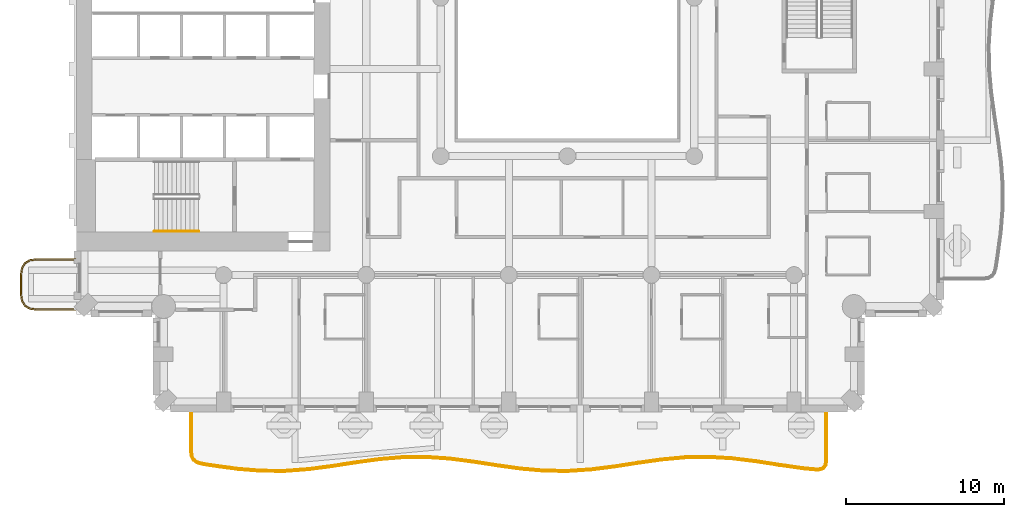
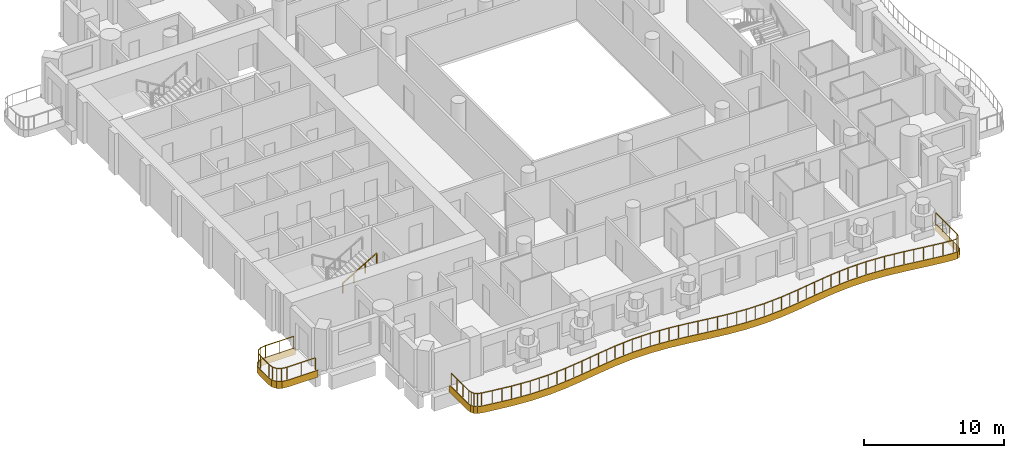
# One storey, part 13 of 20: 3 railings, 2 coverings.
"""IFC4 building model written with IfcOpenShell, lengths in metres."""

import ifcopenshell
import ifcopenshell.guid

model = None  # the IFC model being written
_history = None  # IfcOwnerHistory: only IFC2X3 demands one
_inside = {}  # id of a spatial element -> (the spatial element, [elements in it])
_under = {}  # id of a project, library or spatial element -> (it, [spatial elements below it])
_declared = {}  # id of a project -> (the project, [libraries it declares])
_typed = {}  # id of a type object -> (the type object, [elements of that type])
_made_of = {}  # id of a material, layer set ... -> (it, [elements and type objects made of it])


def new_model(schema):
    """Start an empty IFC model of exactly this schema.

    Asked for "IFC4X3", IfcOpenShell would pick the latest addendum, in which some entities
    have other attributes; the version numbers below select the first issue.
    IFC2X3 requires an IfcOwnerHistory on every rooted entity: one is made here for all.
    """
    global model, _history
    if schema == "IFC4X3":
        model = ifcopenshell.file(schema_version=(4, 3, 0, 0))
    else:
        model = ifcopenshell.file(schema=schema)
    _inside.clear()
    _under.clear()
    _declared.clear()
    _typed.clear()
    _made_of.clear()
    _history = None
    if model.schema == "IFC2X3":
        org = make("IfcOrganization", Name="unknown")
        user = make(
            "IfcPersonAndOrganization",
            ThePerson=make("IfcPerson", FamilyName="unknown"),
            TheOrganization=org,
        )
        app = make(
            "IfcApplication",
            ApplicationDeveloper=org,
            Version="unknown",
            ApplicationFullName="unknown",
            ApplicationIdentifier="unknown",
        )
        _history = make(
            "IfcOwnerHistory",
            OwningUser=user,
            OwningApplication=app,
            ChangeAction="ADDED",
            CreationDate=0,
        )
    return model


def make(cls, **values):
    """One entity of the class cls with the attributes given. An attribute that is None is left unset."""
    return model.create_entity(
        cls, **{name: value for name, value in values.items() if value is not None}
    )


def rooted(cls, **values):
    """An entity with a GlobalId (a new one), such as an element, a storey or a relation."""
    return make(cls, GlobalId=ifcopenshell.guid.new(), OwnerHistory=_history, **values)


def si_unit(unit_type, name, prefix=None):
    """IfcSIUnit, for example si_unit("LENGTHUNIT", "METRE", prefix="MILLI")."""
    return make("IfcSIUnit", UnitType=unit_type, Prefix=prefix, Name=name)


def assignment(units):
    """IfcUnitAssignment: the units of a project."""
    return None if units is None else make("IfcUnitAssignment", Units=units)


def point(xyz):
    """IfcCartesianPoint."""
    return None if xyz is None else make("IfcCartesianPoint", Coordinates=xyz)


def direction(xyz):
    """IfcDirection."""
    return None if xyz is None else make("IfcDirection", DirectionRatios=xyz)


def frame(location, z_axis=None, x_axis=None):
    """IfcAxis2Placement3D, a coordinate frame: its origin and axes. An axis left out is left unset."""
    return make(
        "IfcAxis2Placement3D",
        Location=point(location),
        Axis=direction(z_axis),
        RefDirection=direction(x_axis),
    )


def frame_2d(location, x_axis=None):
    """IfcAxis2Placement2D, a coordinate frame in the plane: its origin and x axis."""
    return make(
        "IfcAxis2Placement2D", Location=point(location), RefDirection=direction(x_axis)
    )


def origin():
    """The frame at (0, 0, 0) with its axes left unset."""
    return frame((0.0, 0.0, 0.0))


def origin_2d():
    """The frame at (0, 0) in the plane with its x axis left unset."""
    return frame_2d((0.0, 0.0))


def place(relative_to, where):
    """IfcLocalPlacement: puts the frame where relative to a parent placement (None: the world)."""
    return make(
        "IfcLocalPlacement", PlacementRelTo=relative_to, RelativePlacement=where
    )


def context(
    kind, dimensions, precision=None, world=None, true_north=None, identifier=None
):
    """IfcGeometricRepresentationContext, for example the 3D "Model" context."""
    return make(
        "IfcGeometricRepresentationContext",
        ContextIdentifier=identifier,
        ContextType=kind,
        CoordinateSpaceDimension=dimensions,
        Precision=precision,
        WorldCoordinateSystem=world,
        TrueNorth=true_north,
    )


def subcontext(parent, identifier, kind, view, scale=None):
    """IfcGeometricRepresentationSubContext, for example "Body" below "Model"."""
    return make(
        "IfcGeometricRepresentationSubContext",
        ContextIdentifier=identifier,
        ContextType=kind,
        ParentContext=parent,
        TargetScale=scale,
        TargetView=view,
    )


def project(units=None, contexts=None):
    """IfcProject with its units and contexts."""
    return rooted(
        "IfcProject",
        Name="project",
        RepresentationContexts=contexts,
        UnitsInContext=assignment(units),
    )


def spatial(cls, under=None, at=None, **own):
    """A site, building, storey or space (cls), placed at a placement, below another one or the project."""
    s = rooted(cls, ObjectPlacement=at, **own)
    if under is not None:
        _under.setdefault(under.id(), (under, []))[1].append(s)
    return s


def polyline(points):
    """IfcPolyline through the points."""
    return make("IfcPolyline", Points=[point(p) for p in points])


def profile(cls, at=None, kind="AREA", **sizes):
    """A parametric profile (cls). Its sizes go by their IFC names, for example OverallWidth=200.0."""
    return make(cls, ProfileType=kind, Position=at, **sizes)


def rectangle(**sizes):
    """IfcRectangleProfileDef."""
    return profile("IfcRectangleProfileDef", **sizes)


def outline(outer, holes=None, kind="AREA"):
    """IfcArbitraryClosedProfileDef: a profile drawn as a closed curve; with holes, ...WithVoids."""
    if holes is None:
        return make("IfcArbitraryClosedProfileDef", ProfileType=kind, OuterCurve=outer)
    return make(
        "IfcArbitraryProfileDefWithVoids",
        ProfileType=kind,
        OuterCurve=outer,
        InnerCurves=holes,
    )


def extrude(swept, where, along, depth):
    """IfcExtrudedAreaSolid: the profile swept, set in the frame where, extruded along a direction by depth."""
    return make(
        "IfcExtrudedAreaSolid",
        SweptArea=swept,
        Position=where,
        ExtrudedDirection=direction(along),
        Depth=depth,
    )


def shape(context_of_items, identifier, shape_type, items):
    """IfcShapeRepresentation: the items that make up one representation, for example the "Body"."""
    return make(
        "IfcShapeRepresentation",
        ContextOfItems=context_of_items,
        RepresentationIdentifier=identifier,
        RepresentationType=shape_type,
        Items=items,
    )


def material(Name=None, Category=None):
    """IfcMaterial."""
    return make("IfcMaterial", Name=Name, Category=Category)


def layer(
    of_material, thickness, ventilated=None, Name=None, Category=None, Priority=None
):
    """IfcMaterialLayer: one layer of a wall or slab, of a material (None: an air gap)."""
    return make(
        "IfcMaterialLayer",
        Material=of_material,
        LayerThickness=thickness,
        IsVentilated=ventilated,
        Name=Name,
        Category=Category,
        Priority=Priority,
    )


def layer_set(layers, Name=None):
    """IfcMaterialLayerSet."""
    return make("IfcMaterialLayerSet", MaterialLayers=layers, LayerSetName=Name)


def made_of(thing, what):
    """Note that an element or type object is made of a material, layer set ...; save() writes the relation."""
    if what is not None:
        _made_of.setdefault(what.id(), (what, []))[1].append(thing)
    return thing


def type_object(cls, material=None, **own):
    """A type object (cls), such as IfcWallType, which elements share."""
    return made_of(rooted(cls, **own), material)


def element(
    cls,
    number,
    at=None,
    inside=None,
    cuts=None,
    type_object=None,
    material=None,
    context=None,
    identifier="Body",
    shape_type=None,
    held_by="IfcProductDefinitionShape",
    body=None,
    shapes=None,
    **own,
):
    """One element of the class cls, such as IfcWall. Its Tag is "e" and its number.

    at: its placement. inside: the storey or other place that contains it. cuts: it is an
    opening in that element (IfcRelVoidsElement). A single representation is given by context,
    identifier, shape_type and body (its items); several are given by shapes. held_by: the class
    of the entity that holds the representations. save() writes the other relations.
    """
    e = rooted(cls, Tag="e%d" % number, ObjectPlacement=at, **own)
    if body is not None:
        shapes = [shape(context, identifier, shape_type, body)]
    if shapes is not None:
        e.Representation = make(held_by, Representations=shapes)
    if inside is not None:
        _inside.setdefault(inside.id(), (inside, []))[1].append(e)
    if cuts is not None:
        rooted(
            "IfcRelVoidsElement", RelatingBuildingElement=cuts, RelatedOpeningElement=e
        )
    if type_object is not None:
        _typed.setdefault(type_object.id(), (type_object, []))[1].append(e)
    return made_of(e, material)


def aggregate(whole, parts):
    """IfcRelAggregates: a whole, such as a stair, and the parts it consists of."""
    return rooted("IfcRelAggregates", RelatingObject=whole, RelatedObjects=parts)


def save(model, path):
    """Write the relations noted so far, then the file.

    IfcRelAggregates (storeys below a building ...), IfcRelContainedInSpatialStructure (elements
    in a storey), IfcRelDefinesByType, IfcRelAssociatesMaterial and IfcRelDeclares: one each for
    every whole, place, type object, material and project.
    """
    for whole, parts in _under.values():
        aggregate(whole, parts)
    for where, things in _inside.values():
        rooted(
            "IfcRelContainedInSpatialStructure",
            RelatedElements=things,
            RelatingStructure=where,
        )
    for kind, things in _typed.values():
        rooted("IfcRelDefinesByType", RelatedObjects=things, RelatingType=kind)
    for what, things in _made_of.values():
        rooted("IfcRelAssociatesMaterial", RelatedObjects=things, RelatingMaterial=what)
    for by, libraries in _declared.values():
        rooted("IfcRelDeclares", RelatingContext=by, RelatedDefinitions=libraries)
    model.write(path)


model = new_model("IFC4")

# Units and contexts
model_context = context("Model", 3, precision=1e-05, world=origin(), true_north=direction((0.0, 1.0)))
body_context = subcontext(model_context, "Body", "Model", "MODEL_VIEW")
ifc_project = project(units=[si_unit("LENGTHUNIT", "METRE"), si_unit("AREAUNIT", "SQUARE_METRE"), si_unit("VOLUMEUNIT", "CUBIC_METRE"), si_unit("PLANEANGLEUNIT", "RADIAN"), si_unit("MASSUNIT", "GRAM", prefix="KILO")], contexts=[model_context])

# Site, building, storey
site_placement = place(None, origin())
site = spatial("IfcSite", under=ifc_project, at=site_placement, CompositionType="ELEMENT")
building_placement = place(site_placement, origin())
building = spatial("IfcBuilding", under=site, at=building_placement, Name="Cypress Arch Tower", CompositionType="ELEMENT")
storey_placement = place(building_placement, frame((0.0, 0.0, 134.699951171875)))
storey = spatial("IfcBuildingStorey", under=building, at=storey_placement, Name="L29", CompositionType="ELEMENT", Elevation=134.699951171875)

# Coverings
ifc_material_1 = material(Name="White powder-coated aluminium fascia", Category="aluminium")
ifc_layer = layer(ifc_material_1, 0.050048828125)
ifc_layer_set = layer_set([ifc_layer], Name="Balcony fascia BF50")
covering_type = type_object("IfcCoveringType", Name="Balcony fascia BF50", PredefinedType="CLADDING", material=ifc_layer_set)
covering_1_placement = place(storey_placement, frame((0.0, 0.0, -0.599853515625)))
element("IfcCovering", 1, at=covering_1_placement, inside=storey, type_object=covering_type, Name="Balcony fascia L29-A00W1", PredefinedType="CLADDING", context=body_context, shape_type="SweptSolid", body=[
    extrude(outline(polyline([(-32.503662109375, -19.75), (-32.95458984375, -19.685546875), (-33.286376953125, -19.486328125), (-33.485595703125, -19.154541015625), (-33.550048828125, -18.70361328125), (-33.550048828125, -17.496337890625), (-33.485595703125, -17.04541015625), (-33.286376953125, -16.713623046875), (-32.95458984375, -16.514404296875), (-32.503662109375, -16.449951171875), (-30.0009765625, -16.449951171875), (-30.0009765625, -16.5), (-32.5, -16.5), (-32.9375, -16.5625), (-33.25, -16.75), (-33.4375, -17.0625), (-33.5, -17.5), (-33.5, -18.699951171875), (-33.4375, -19.137451171875), (-33.25, -19.449951171875), (-32.9375, -19.637451171875), (-32.5, -19.699951171875), (-30.0009765625, -19.699951171875), (-30.0009765625, -19.75), (-32.503662109375, -19.75)])), origin(), (0.0, 0.0, 1.0), 0.599853515625),
])
covering_2_placement = place(storey_placement, frame((0.0, 0.0, -0.599853515625)))
element("IfcCovering", 2, at=covering_2_placement, inside=storey, type_object=covering_type, Name="Balcony fascia L29-A03", PredefinedType="CLADDING", context=body_context, shape_type="SweptSolid", body=[
    extrude(outline(polyline([(17.39990234375, -29.196533203125), (17.356201171875, -29.500244140625), (17.2177734375, -29.71875), (16.987060546875, -29.8359375), (16.680419921875, -29.8505859375), (15.85888671875, -29.772216796875), (14.372314453125, -29.558837890625), (12.887451171875, -29.330078125), (11.404541015625, -29.14599609375), (9.9228515625, -29.054931640625), (8.441650390625, -29.08056640625), (6.95947265625, -29.216064453125), (5.475830078125, -29.42626953125), (3.990234375, -29.65576171875), (2.5029296875, -29.8447265625), (1.014404296875, -29.94287109375), (-0.474609375, -29.92431640625), (-1.963134765625, -29.7939453125), (-3.449951171875, -29.58642578125), (-4.934814453125, -29.356201171875), (-6.41796875, -29.1640625), (-7.899658203125, -29.059814453125), (-9.381103515625, -29.0712890625), (-10.863037109375, -29.195068359375), (-12.346435546875, -29.39892578125), (-13.831787109375, -29.62939453125), (-15.31884765625, -29.826171875), (-16.807373046875, -29.93701171875), (-18.29638671875, -29.932861328125), (-19.784912109375, -29.814697265625), (-21.27197265625, -29.61376953125), (-22.0927734375, -29.486328125), (-22.397216796875, -29.39501953125), (-22.621826171875, -29.2236328125), (-22.756591796875, -28.975341796875), (-22.800048828125, -28.66064453125), (-22.800048828125, -26.0009765625), (-22.75, -26.0009765625), (-22.75, -28.6572265625), (-22.708251953125, -28.95947265625), (-22.5830078125, -29.1904296875), (-22.3740234375, -29.349609375), (-22.081787109375, -29.437255859375), (-21.264892578125, -29.564208984375), (-19.779541015625, -29.764892578125), (-18.29443359375, -29.8828125), (-16.809326171875, -29.886962890625), (-15.323974609375, -29.7763671875), (-13.8388671875, -29.579833984375), (-12.353759765625, -29.349365234375), (-10.868408203125, -29.145263671875), (-9.38330078125, -29.021240234375), (-7.898193359375, -29.010009765625), (-6.412841796875, -29.1142578125), (-4.927734375, -29.306884765625), (-3.442626953125, -29.537109375), (-1.95751953125, -29.744384765625), (-0.47216796875, -29.874267578125), (1.012939453125, -29.892822265625), (2.498046875, -29.794921875), (3.9833984375, -29.6064453125), (5.468505859375, -29.376708984375), (6.95361328125, -29.166259765625), (8.43896484375, -29.030517578125), (9.924072265625, -29.0048828125), (11.4091796875, -29.09619140625), (12.89453125, -29.280517578125), (14.379638671875, -29.509521484375), (15.86474609375, -29.72265625), (16.681640625, -29.800537109375), (16.97412109375, -29.786376953125), (17.182861328125, -29.680419921875), (17.308349609375, -29.482666015625), (17.35009765625, -29.19287109375), (17.35009765625, -26.0009765625), (17.39990234375, -26.0009765625), (17.39990234375, -29.196533203125)])), origin(), (0.0, 0.0, 1.0), 0.599853515625),
])

# Railings
ifc_material_2 = material(Name="Powder-coated steel posts and rods, 100 mm clear between rods", Category="steel")
railing_type_1 = type_object("IfcRailingType", Name="Balcony guard GR1100", PredefinedType="GUARDRAIL", material=ifc_material_2)
railing_1_placement = place(storey_placement, frame((-30.14990234375, -19.64990234375, 0.0)))
element("IfcRailing", 3, at=railing_1_placement, inside=storey, type_object=railing_type_1, Name="Balcony guard L29-A00W1", PredefinedType="GUARDRAIL", context=body_context, shape_type="SweptSolid", body=[
    extrude(rectangle(XDim=0.050048828125, YDim=0.050048828125, at=origin_2d()), frame((0.0, 0.0, 1.0751953125), z_axis=(-1.0, 0.0, 0.0), x_axis=(0.0, -1.0, 0.0)), (0.0, 0.0, 1.0), 2.346435546875),
    extrude(rectangle(XDim=0.050048828125, YDim=0.050048828125, at=origin_2d()), frame((-2.346435546875, 0.0, 1.0751953125), z_axis=(-0.989960888959, 0.141341566184, 0.0), x_axis=(-0.141341566184, -0.989960888959, 0.0)), (0.0, 0.0, 1.0), 0.428466796875),
    extrude(rectangle(XDim=0.050048828125, YDim=0.050048828125, at=origin_2d()), frame((-2.7705078125, 0.060546875, 1.0751953125), z_axis=(-0.857681904839, 0.514180659021, 0.0), x_axis=(-0.514180659021, -0.857681904839, 0.0)), (0.0, 0.0, 1.0), 0.341796875),
    extrude(rectangle(XDim=0.050048828125, YDim=0.050048828125, at=origin_2d()), frame((-3.063720703125, 0.236328125, 1.0751953125), z_axis=(-0.514180659021, 0.857681904839, 0.0), x_axis=(-0.857681904839, -0.514180659021, 0.0)), (0.0, 0.0, 1.0), 0.341796875),
    extrude(rectangle(XDim=0.050048828125, YDim=0.050048828125, at=origin_2d()), frame((-3.239501953125, 0.529541015625, 1.0751953125), z_axis=(-0.141421356237, 0.989949493661, 0.0), x_axis=(-0.989949493661, -0.141421356237, 0.0)), (0.0, 0.0, 1.0), 0.42822265625),
    extrude(rectangle(XDim=0.050048828125, YDim=0.050048828125, at=origin_2d()), frame((-3.300048828125, 0.953369140625, 1.0751953125), z_axis=(0.0, 1.0, 0.0), x_axis=(-1.0, 0.0, 0.0)), (0.0, 0.0, 1.0), 1.19287109375),
    extrude(rectangle(XDim=0.050048828125, YDim=0.050048828125, at=origin_2d()), frame((-3.300048828125, 2.146240234375, 1.0751953125), z_axis=(0.141341566184, 0.989960888959, 0.0), x_axis=(-0.989960888959, 0.141341566184, 0.0)), (0.0, 0.0, 1.0), 0.428466796875),
    extrude(rectangle(XDim=0.050048828125, YDim=0.050048828125, at=origin_2d()), frame((-3.239501953125, 2.5703125, 1.0751953125), z_axis=(0.514180659021, 0.857681904839, 0.0), x_axis=(-0.857681904839, 0.514180659021, 0.0)), (0.0, 0.0, 1.0), 0.341796875),
    extrude(rectangle(XDim=0.050048828125, YDim=0.050048828125, at=origin_2d()), frame((-3.063720703125, 2.863525390625, 1.0751953125), z_axis=(0.857681904839, 0.514180659021, 0.0), x_axis=(-0.514180659021, 0.857681904839, 0.0)), (0.0, 0.0, 1.0), 0.341796875),
    extrude(rectangle(XDim=0.050048828125, YDim=0.050048828125, at=origin_2d()), frame((-2.7705078125, 3.039306640625, 1.0751953125), z_axis=(0.989960888959, 0.141341566184, 0.0), x_axis=(-0.141341566184, 0.989960888959, 0.0)), (0.0, 0.0, 1.0), 0.428466796875),
    extrude(rectangle(XDim=0.050048828125, YDim=0.050048828125, at=origin_2d()), frame((-2.346435546875, 3.099853515625, 1.0751953125), z_axis=(1.0, 0.0, 0.0), x_axis=(0.0, 1.0, 0.0)), (0.0, 0.0, 1.0), 2.346435546875),
    extrude(rectangle(XDim=0.0400390625, YDim=0.0400390625, at=origin_2d()), origin(), (0.0, 0.0, 1.0), 1.050048828125),
    extrude(rectangle(XDim=0.0400390625, YDim=0.0400390625, at=origin_2d()), frame((-1.17333984375, 0.0, 0.0)), (0.0, 0.0, 1.0), 1.050048828125),
    extrude(rectangle(XDim=0.0400390625, YDim=0.0400390625, at=origin_2d()), frame((-2.346435546875, 0.0, 0.0)), (0.0, 0.0, 1.0), 1.050048828125),
    extrude(rectangle(XDim=0.0400390625, YDim=0.0400390625, at=origin_2d()), frame((-2.7705078125, 0.060546875, 0.0)), (0.0, 0.0, 1.0), 1.050048828125),
    extrude(rectangle(XDim=0.0400390625, YDim=0.0400390625, at=origin_2d()), frame((-3.063720703125, 0.236328125, 0.0)), (0.0, 0.0, 1.0), 1.050048828125),
    extrude(rectangle(XDim=0.0400390625, YDim=0.0400390625, at=origin_2d()), frame((-3.239501953125, 0.529541015625, 0.0)), (0.0, 0.0, 1.0), 1.050048828125),
    extrude(rectangle(XDim=0.0400390625, YDim=0.0400390625, at=origin_2d()), frame((-3.300048828125, 0.953369140625, 0.0)), (0.0, 0.0, 1.0), 1.050048828125),
    extrude(rectangle(XDim=0.0400390625, YDim=0.0400390625, at=origin_2d()), frame((-3.300048828125, 2.146240234375, 0.0)), (0.0, 0.0, 1.0), 1.050048828125),
    extrude(rectangle(XDim=0.0400390625, YDim=0.0400390625, at=origin_2d()), frame((-3.239501953125, 2.5703125, 0.0)), (0.0, 0.0, 1.0), 1.050048828125),
    extrude(rectangle(XDim=0.0400390625, YDim=0.0400390625, at=origin_2d()), frame((-3.063720703125, 2.863525390625, 0.0)), (0.0, 0.0, 1.0), 1.050048828125),
    extrude(rectangle(XDim=0.0400390625, YDim=0.0400390625, at=origin_2d()), frame((-2.7705078125, 3.039306640625, 0.0)), (0.0, 0.0, 1.0), 1.050048828125),
    extrude(rectangle(XDim=0.0400390625, YDim=0.0400390625, at=origin_2d()), frame((-2.346435546875, 3.099853515625, 0.0)), (0.0, 0.0, 1.0), 1.050048828125),
    extrude(rectangle(XDim=0.0400390625, YDim=0.0400390625, at=origin_2d()), frame((-1.17333984375, 3.099853515625, 0.0)), (0.0, 0.0, 1.0), 1.050048828125),
    extrude(rectangle(XDim=0.0400390625, YDim=0.0400390625, at=origin_2d()), frame((0.0, 3.099853515625, 0.0)), (0.0, 0.0, 1.0), 1.050048828125),
])
railing_2_placement = place(storey_placement, frame((17.300048828125, -26.14990234375, 0.0)))
element("IfcRailing", 4, at=railing_2_placement, inside=storey, type_object=railing_type_1, Name="Balcony guard L29-A03", PredefinedType="GUARDRAIL", context=body_context, shape_type="SweptSolid", body=[
    extrude(rectangle(XDim=0.050048828125, YDim=0.050048828125, at=origin_2d()), frame((0.0, 0.0, 1.0751953125), z_axis=(0.0, -1.0, 0.0), x_axis=(1.0, 0.0, 0.0)), (0.0, 0.0, 1.0), 3.039306640625),
    extrude(rectangle(XDim=0.050048828125, YDim=0.050048828125, at=origin_2d()), frame((0.0, -3.039306640625, 1.0751953125), z_axis=(-0.142893971958, -0.989738002088, 0.0), x_axis=(0.989738002088, -0.142893971958, 0.0)), (0.0, 0.0, 1.0), 0.278564453125),
    extrude(rectangle(XDim=0.050048828125, YDim=0.050048828125, at=origin_2d()), frame((-0.039794921875, -3.31494140625, 1.0751953125), z_axis=(-0.53521815585, -0.844713872059, 0.0), x_axis=(0.844713872059, -0.53521815585, 0.0)), (0.0, 0.0, 1.0), 0.209716796875),
    extrude(rectangle(XDim=0.050048828125, YDim=0.050048828125, at=origin_2d()), frame((-0.152099609375, -3.4921875, 1.0751953125), z_axis=(-0.891616164961, -0.452792021109, 0.0), x_axis=(0.452792021109, -0.891616164961, 0.0)), (0.0, 0.0, 1.0), 0.209716796875),
    extrude(rectangle(XDim=0.050048828125, YDim=0.050048828125, at=origin_2d()), frame((-0.339111328125, -3.587158203125, 1.0751953125), z_axis=(-0.99883617079, -0.048231772953, 0.0), x_axis=(0.048231772953, -0.99883617079, 0.0)), (0.0, 0.0, 1.0), 0.2783203125),
    extrude(rectangle(XDim=0.050048828125, YDim=0.050048828125, at=origin_2d()), frame((-0.6171875, -3.6005859375, 1.0751953125), z_axis=(-0.995488744132, 0.09487971494, 0.0), x_axis=(-0.09487971494, -0.995488744132, 0.0)), (0.0, 0.0, 1.0), 0.815673828125),
    extrude(rectangle(XDim=0.050048828125, YDim=0.050048828125, at=origin_2d()), frame((-1.42919921875, -3.523193359375, 1.0751953125), z_axis=(-0.989841722456, 0.142173712357, 0.0), x_axis=(-0.142173712357, -0.989841722456, 0.0)), (0.0, 0.0, 1.0), 1.4990234375),
    extrude(rectangle(XDim=0.050048828125, YDim=0.050048828125, at=origin_2d()), frame((-2.9130859375, -3.31005859375, 1.0751953125), z_axis=(-0.988351033436, 0.152191440974, 0.0), x_axis=(-0.152191440974, -0.988351033436, 0.0)), (0.0, 0.0, 1.0), 1.503173828125),
    extrude(rectangle(XDim=0.050048828125, YDim=0.050048828125, at=origin_2d()), frame((-4.398681640625, -3.081298828125, 1.0751953125), z_axis=(-0.992370310456, 0.123293012476, 0.0), x_axis=(-0.123293012476, -0.992370310456, 0.0)), (0.0, 0.0, 1.0), 1.4990234375),
    extrude(rectangle(XDim=0.050048828125, YDim=0.050048828125, at=origin_2d()), frame((-5.88623046875, -2.896484375, 1.0751953125), z_axis=(-0.998113876628, 0.061389651261, 0.0), x_axis=(-0.061389651261, -0.998113876628, 0.0)), (0.0, 0.0, 1.0), 1.491455078125),
    extrude(rectangle(XDim=0.050048828125, YDim=0.050048828125, at=origin_2d()), frame((-7.374755859375, -2.804931640625, 1.0751953125), z_axis=(-0.99985183869, -0.017213386303, 0.0), x_axis=(0.017213386303, -0.99985183869, 0.0)), (0.0, 0.0, 1.0), 1.4892578125),
    extrude(rectangle(XDim=0.050048828125, YDim=0.050048828125, at=origin_2d()), frame((-8.86376953125, -2.83056640625, 1.0751953125), z_axis=(-0.99583677597, -0.091154350556, 0.0), x_axis=(0.091154350556, -0.99583677597, 0.0)), (0.0, 0.0, 1.0), 1.494384765625),
    extrude(rectangle(XDim=0.050048828125, YDim=0.050048828125, at=origin_2d()), frame((-10.35205078125, -2.966796875, 1.0751953125), z_axis=(-0.990108193161, -0.1403059722, 0.0), x_axis=(0.1403059722, -0.990108193161, 0.0)), (0.0, 0.0, 1.0), 1.501708984375),
    extrude(rectangle(XDim=0.050048828125, YDim=0.050048828125, at=origin_2d()), frame((-11.8388671875, -3.177490234375, 1.0751953125), z_axis=(-0.988266265066, -0.152740922256, 0.0), x_axis=(0.152740922256, -0.988266265066, 0.0)), (0.0, 0.0, 1.0), 1.50244140625),
    extrude(rectangle(XDim=0.050048828125, YDim=0.050048828125, at=origin_2d()), frame((-13.32373046875, -3.406982421875, 1.0751953125), z_axis=(-0.992039883626, -0.125924061619, 0.0), x_axis=(0.125924061619, -0.992039883626, 0.0)), (0.0, 0.0, 1.0), 1.494873046875),
    extrude(rectangle(XDim=0.050048828125, YDim=0.050048828125, at=origin_2d()), frame((-14.806640625, -3.59521484375, 1.0751953125), z_axis=(-0.997835071273, -0.065766028754, 0.0), x_axis=(0.065766028754, -0.997835071273, 0.0)), (0.0, 0.0, 1.0), 1.48486328125),
    extrude(rectangle(XDim=0.050048828125, YDim=0.050048828125, at=origin_2d()), frame((-16.288330078125, -3.69287109375, 1.0751953125), z_axis=(-0.999923624928, 0.012358976907, 0.0), x_axis=(-0.012358976907, -0.999923624928, 0.0)), (0.0, 0.0, 1.0), 1.4814453125),
    extrude(rectangle(XDim=0.050048828125, YDim=0.050048828125, at=origin_2d()), frame((-17.769775390625, -3.674560546875, 1.0751953125), z_axis=(-0.996181237678, 0.087309459381, 0.0), x_axis=(-0.087309459381, -0.996181237678, 0.0)), (0.0, 0.0, 1.0), 1.487548828125),
    extrude(rectangle(XDim=0.050048828125, YDim=0.050048828125, at=origin_2d()), frame((-19.251708984375, -3.544677734375, 1.0751953125), z_axis=(-0.990403857826, 0.138203467408, 0.0), x_axis=(-0.138203467408, -0.990403857826, 0.0)), (0.0, 0.0, 1.0), 1.498046875),
    extrude(rectangle(XDim=0.050048828125, YDim=0.050048828125, at=origin_2d()), frame((-20.7353515625, -3.337646484375, 1.0751953125), z_axis=(-0.988200197594, 0.153167782106, 0.0), x_axis=(-0.153167782106, -0.988200197594, 0.0)), (0.0, 0.0, 1.0), 1.503173828125),
    extrude(rectangle(XDim=0.050048828125, YDim=0.050048828125, at=origin_2d()), frame((-22.220703125, -3.107421875, 1.0751953125), z_axis=(-0.991696356419, 0.128601464473, 0.0), x_axis=(-0.128601464473, -0.991696356419, 0.0)), (0.0, 0.0, 1.0), 1.499755859375),
    extrude(rectangle(XDim=0.050048828125, YDim=0.050048828125, at=origin_2d()), frame((-23.7080078125, -2.91455078125, 1.0751953125), z_axis=(-0.997545157286, 0.070026132084, 0.0), x_axis=(-0.070026132084, -0.997545157286, 0.0)), (0.0, 0.0, 1.0), 1.4921875),
    extrude(rectangle(XDim=0.050048828125, YDim=0.050048828125, at=origin_2d()), frame((-25.196533203125, -2.81005859375, 1.0751953125), z_axis=(-0.999971558672, -0.007542005525, 0.0), x_axis=(0.007542005525, -0.999971558672, 0.0)), (0.0, 0.0, 1.0), 1.489013671875),
    extrude(rectangle(XDim=0.050048828125, YDim=0.050048828125, at=origin_2d()), frame((-26.685546875, -2.8212890625, 1.0751953125), z_axis=(-0.996533347747, -0.083194271609, 0.0), x_axis=(0.083194271609, -0.996533347747, 0.0)), (0.0, 0.0, 1.0), 1.49365234375),
    extrude(rectangle(XDim=0.050048828125, YDim=0.050048828125, at=origin_2d()), frame((-28.174072265625, -2.945556640625, 1.0751953125), z_axis=(-0.990687070294, -0.136158469267, 0.0), x_axis=(0.136158469267, -0.990687070294, 0.0)), (0.0, 0.0, 1.0), 1.500732421875),
    extrude(rectangle(XDim=0.050048828125, YDim=0.050048828125, at=origin_2d()), frame((-29.660888671875, -3.14990234375, 1.0751953125), z_axis=(-0.988147152264, -0.153509626646, 0.0), x_axis=(0.153509626646, -0.988147152264, 0.0)), (0.0, 0.0, 1.0), 1.5029296875),
    extrude(rectangle(XDim=0.050048828125, YDim=0.050048828125, at=origin_2d()), frame((-31.14599609375, -3.380615234375, 1.0751953125), z_axis=(-0.991376915113, -0.131041261372, 0.0), x_axis=(0.131041261372, -0.991376915113, 0.0)), (0.0, 0.0, 1.0), 1.49609375),
    extrude(rectangle(XDim=0.050048828125, YDim=0.050048828125, at=origin_2d()), frame((-32.629150390625, -3.57666015625, 1.0751953125), z_axis=(-0.997238990174, -0.074258982464, 0.0), x_axis=(0.074258982464, -0.997238990174, 0.0)), (0.0, 0.0, 1.0), 1.486083984375),
    extrude(rectangle(XDim=0.050048828125, YDim=0.050048828125, at=origin_2d()), frame((-34.111083984375, -3.68701171875, 1.0751953125), z_axis=(-0.999996075592, 0.002801571075, 0.0), x_axis=(-0.002801571075, -0.999996075592, 0.0)), (0.0, 0.0, 1.0), 1.4814453125),
    extrude(rectangle(XDim=0.050048828125, YDim=0.050048828125, at=origin_2d()), frame((-35.592529296875, -3.682861328125, 1.0751953125), z_axis=(-0.996862102227, 0.07915774848, 0.0), x_axis=(-0.07915774848, -0.996862102227, 0.0)), (0.0, 0.0, 1.0), 1.486572265625),
    extrude(rectangle(XDim=0.050048828125, YDim=0.050048828125, at=origin_2d()), frame((-37.074462890625, -3.565185546875, 1.0751953125), z_axis=(-0.990991260171, 0.13392655549, 0.0), x_axis=(-0.13392655549, -0.990991260171, 0.0)), (0.0, 0.0, 1.0), 1.49658203125),
    extrude(rectangle(XDim=0.050048828125, YDim=0.050048828125, at=origin_2d()), frame((-38.5576171875, -3.36474609375, 1.0751953125), z_axis=(-0.988161496263, 0.153417265336, 0.0), x_axis=(-0.153417265336, -0.988161496263, 0.0)), (0.0, 0.0, 1.0), 0.82275390625),
    extrude(rectangle(XDim=0.050048828125, YDim=0.050048828125, at=origin_2d()), frame((-39.37060546875, -3.238525390625, 1.0751953125), z_axis=(-0.95798676764, 0.286812400407, 0.0), x_axis=(-0.286812400407, -0.95798676764, 0.0)), (0.0, 0.0, 1.0), 0.292724609375),
    extrude(rectangle(XDim=0.050048828125, YDim=0.050048828125, at=origin_2d()), frame((-39.651123046875, -3.154541015625, 1.0751953125), z_axis=(-0.795270135642, 0.606255236147, 0.0), x_axis=(-0.606255236147, -0.795270135642, 0.0)), (0.0, 0.0, 1.0), 0.242919921875),
    extrude(rectangle(XDim=0.050048828125, YDim=0.050048828125, at=origin_2d()), frame((-39.84423828125, -3.00732421875, 1.0751953125), z_axis=(-0.476315520354, 0.879274431034, 0.0), x_axis=(-0.879274431034, -0.476315520354, 0.0)), (0.0, 0.0, 1.0), 0.242919921875),
    extrude(rectangle(XDim=0.050048828125, YDim=0.050048828125, at=origin_2d()), frame((-39.9599609375, -2.793701171875, 1.0751953125), z_axis=(-0.136863311336, 0.990589942413, 0.0), x_axis=(-0.990589942413, -0.136863311336, 0.0)), (0.0, 0.0, 1.0), 0.29248046875),
    extrude(rectangle(XDim=0.050048828125, YDim=0.050048828125, at=origin_2d()), frame((-40.0, -2.50390625, 1.0751953125), z_axis=(0.0, 1.0, 0.0), x_axis=(-1.0, 0.0, 0.0)), (0.0, 0.0, 1.0), 2.50390625),
    extrude(rectangle(XDim=0.0400390625, YDim=0.0400390625, at=origin_2d()), origin(), (0.0, 0.0, 1.0), 1.050048828125),
    extrude(rectangle(XDim=0.0400390625, YDim=0.0400390625, at=origin_2d()), frame((0.0, -1.01318359375, 0.0)), (0.0, 0.0, 1.0), 1.050048828125),
    extrude(rectangle(XDim=0.0400390625, YDim=0.0400390625, at=origin_2d()), frame((0.0, -2.026123046875, 0.0)), (0.0, 0.0, 1.0), 1.050048828125),
    extrude(rectangle(XDim=0.0400390625, YDim=0.0400390625, at=origin_2d()), frame((0.0, -3.039306640625, 0.0)), (0.0, 0.0, 1.0), 1.050048828125),
    extrude(rectangle(XDim=0.0400390625, YDim=0.0400390625, at=origin_2d()), frame((-0.039794921875, -3.31494140625, 0.0)), (0.0, 0.0, 1.0), 1.050048828125),
    extrude(rectangle(XDim=0.0400390625, YDim=0.0400390625, at=origin_2d()), frame((-0.152099609375, -3.4921875, 0.0)), (0.0, 0.0, 1.0), 1.050048828125),
    extrude(rectangle(XDim=0.0400390625, YDim=0.0400390625, at=origin_2d()), frame((-0.339111328125, -3.587158203125, 0.0)), (0.0, 0.0, 1.0), 1.050048828125),
    extrude(rectangle(XDim=0.0400390625, YDim=0.0400390625, at=origin_2d()), frame((-0.6171875, -3.6005859375, 0.0)), (0.0, 0.0, 1.0), 1.050048828125),
    extrude(rectangle(XDim=0.0400390625, YDim=0.0400390625, at=origin_2d()), frame((-1.42919921875, -3.523193359375, 0.0)), (0.0, 0.0, 1.0), 1.050048828125),
    extrude(rectangle(XDim=0.0400390625, YDim=0.0400390625, at=origin_2d()), frame((-2.171142578125, -3.41650390625, 0.0)), (0.0, 0.0, 1.0), 1.050048828125),
    extrude(rectangle(XDim=0.0400390625, YDim=0.0400390625, at=origin_2d()), frame((-2.9130859375, -3.31005859375, 0.0)), (0.0, 0.0, 1.0), 1.050048828125),
    extrude(rectangle(XDim=0.0400390625, YDim=0.0400390625, at=origin_2d()), frame((-3.65576171875, -3.19580078125, 0.0)), (0.0, 0.0, 1.0), 1.050048828125),
    extrude(rectangle(XDim=0.0400390625, YDim=0.0400390625, at=origin_2d()), frame((-4.398681640625, -3.081298828125, 0.0)), (0.0, 0.0, 1.0), 1.050048828125),
    extrude(rectangle(XDim=0.0400390625, YDim=0.0400390625, at=origin_2d()), frame((-5.142578125, -2.98876953125, 0.0)), (0.0, 0.0, 1.0), 1.050048828125),
    extrude(rectangle(XDim=0.0400390625, YDim=0.0400390625, at=origin_2d()), frame((-5.88623046875, -2.896484375, 0.0)), (0.0, 0.0, 1.0), 1.050048828125),
    extrude(rectangle(XDim=0.0400390625, YDim=0.0400390625, at=origin_2d()), frame((-6.63037109375, -2.8505859375, 0.0)), (0.0, 0.0, 1.0), 1.050048828125),
    extrude(rectangle(XDim=0.0400390625, YDim=0.0400390625, at=origin_2d()), frame((-7.374755859375, -2.804931640625, 0.0)), (0.0, 0.0, 1.0), 1.050048828125),
    extrude(rectangle(XDim=0.0400390625, YDim=0.0400390625, at=origin_2d()), frame((-8.119140625, -2.81787109375, 0.0)), (0.0, 0.0, 1.0), 1.050048828125),
    extrude(rectangle(XDim=0.0400390625, YDim=0.0400390625, at=origin_2d()), frame((-8.86376953125, -2.83056640625, 0.0)), (0.0, 0.0, 1.0), 1.050048828125),
    extrude(rectangle(XDim=0.0400390625, YDim=0.0400390625, at=origin_2d()), frame((-9.60791015625, -2.898681640625, 0.0)), (0.0, 0.0, 1.0), 1.050048828125),
    extrude(rectangle(XDim=0.0400390625, YDim=0.0400390625, at=origin_2d()), frame((-10.35205078125, -2.966796875, 0.0)), (0.0, 0.0, 1.0), 1.050048828125),
    extrude(rectangle(XDim=0.0400390625, YDim=0.0400390625, at=origin_2d()), frame((-11.095458984375, -3.072265625, 0.0)), (0.0, 0.0, 1.0), 1.050048828125),
    extrude(rectangle(XDim=0.0400390625, YDim=0.0400390625, at=origin_2d()), frame((-11.8388671875, -3.177490234375, 0.0)), (0.0, 0.0, 1.0), 1.050048828125),
    extrude(rectangle(XDim=0.0400390625, YDim=0.0400390625, at=origin_2d()), frame((-12.581298828125, -3.292236328125, 0.0)), (0.0, 0.0, 1.0), 1.050048828125),
    extrude(rectangle(XDim=0.0400390625, YDim=0.0400390625, at=origin_2d()), frame((-13.32373046875, -3.406982421875, 0.0)), (0.0, 0.0, 1.0), 1.050048828125),
    extrude(rectangle(XDim=0.0400390625, YDim=0.0400390625, at=origin_2d()), frame((-14.065185546875, -3.5009765625, 0.0)), (0.0, 0.0, 1.0), 1.050048828125),
    extrude(rectangle(XDim=0.0400390625, YDim=0.0400390625, at=origin_2d()), frame((-14.806640625, -3.59521484375, 0.0)), (0.0, 0.0, 1.0), 1.050048828125),
    extrude(rectangle(XDim=0.0400390625, YDim=0.0400390625, at=origin_2d()), frame((-15.54736328125, -3.64404296875, 0.0)), (0.0, 0.0, 1.0), 1.050048828125),
    extrude(rectangle(XDim=0.0400390625, YDim=0.0400390625, at=origin_2d()), frame((-16.288330078125, -3.69287109375, 0.0)), (0.0, 0.0, 1.0), 1.050048828125),
    extrude(rectangle(XDim=0.0400390625, YDim=0.0400390625, at=origin_2d()), frame((-17.029052734375, -3.68359375, 0.0)), (0.0, 0.0, 1.0), 1.050048828125),
    extrude(rectangle(XDim=0.0400390625, YDim=0.0400390625, at=origin_2d()), frame((-17.769775390625, -3.674560546875, 0.0)), (0.0, 0.0, 1.0), 1.050048828125),
    extrude(rectangle(XDim=0.0400390625, YDim=0.0400390625, at=origin_2d()), frame((-18.5107421875, -3.609619140625, 0.0)), (0.0, 0.0, 1.0), 1.050048828125),
    extrude(rectangle(XDim=0.0400390625, YDim=0.0400390625, at=origin_2d()), frame((-19.251708984375, -3.544677734375, 0.0)), (0.0, 0.0, 1.0), 1.050048828125),
    extrude(rectangle(XDim=0.0400390625, YDim=0.0400390625, at=origin_2d()), frame((-19.99365234375, -3.441162109375, 0.0)), (0.0, 0.0, 1.0), 1.050048828125),
    extrude(rectangle(XDim=0.0400390625, YDim=0.0400390625, at=origin_2d()), frame((-20.7353515625, -3.337646484375, 0.0)), (0.0, 0.0, 1.0), 1.050048828125),
    extrude(rectangle(XDim=0.0400390625, YDim=0.0400390625, at=origin_2d()), frame((-21.47802734375, -3.22265625, 0.0)), (0.0, 0.0, 1.0), 1.050048828125),
    extrude(rectangle(XDim=0.0400390625, YDim=0.0400390625, at=origin_2d()), frame((-22.220703125, -3.107421875, 0.0)), (0.0, 0.0, 1.0), 1.050048828125),
    extrude(rectangle(XDim=0.0400390625, YDim=0.0400390625, at=origin_2d()), frame((-22.96435546875, -3.010986328125, 0.0)), (0.0, 0.0, 1.0), 1.050048828125),
    extrude(rectangle(XDim=0.0400390625, YDim=0.0400390625, at=origin_2d()), frame((-23.7080078125, -2.91455078125, 0.0)), (0.0, 0.0, 1.0), 1.050048828125),
    extrude(rectangle(XDim=0.0400390625, YDim=0.0400390625, at=origin_2d()), frame((-24.4521484375, -2.8623046875, 0.0)), (0.0, 0.0, 1.0), 1.050048828125),
    extrude(rectangle(XDim=0.0400390625, YDim=0.0400390625, at=origin_2d()), frame((-25.196533203125, -2.81005859375, 0.0)), (0.0, 0.0, 1.0), 1.050048828125),
    extrude(rectangle(XDim=0.0400390625, YDim=0.0400390625, at=origin_2d()), frame((-25.94091796875, -2.815673828125, 0.0)), (0.0, 0.0, 1.0), 1.050048828125),
    extrude(rectangle(XDim=0.0400390625, YDim=0.0400390625, at=origin_2d()), frame((-26.685546875, -2.8212890625, 0.0)), (0.0, 0.0, 1.0), 1.050048828125),
    extrude(rectangle(XDim=0.0400390625, YDim=0.0400390625, at=origin_2d()), frame((-27.4296875, -2.88330078125, 0.0)), (0.0, 0.0, 1.0), 1.050048828125),
    extrude(rectangle(XDim=0.0400390625, YDim=0.0400390625, at=origin_2d()), frame((-28.174072265625, -2.945556640625, 0.0)), (0.0, 0.0, 1.0), 1.050048828125),
    extrude(rectangle(XDim=0.0400390625, YDim=0.0400390625, at=origin_2d()), frame((-28.91748046875, -3.0478515625, 0.0)), (0.0, 0.0, 1.0), 1.050048828125),
    extrude(rectangle(XDim=0.0400390625, YDim=0.0400390625, at=origin_2d()), frame((-29.660888671875, -3.14990234375, 0.0)), (0.0, 0.0, 1.0), 1.050048828125),
    extrude(rectangle(XDim=0.0400390625, YDim=0.0400390625, at=origin_2d()), frame((-30.4033203125, -3.26513671875, 0.0)), (0.0, 0.0, 1.0), 1.050048828125),
    extrude(rectangle(XDim=0.0400390625, YDim=0.0400390625, at=origin_2d()), frame((-31.14599609375, -3.380615234375, 0.0)), (0.0, 0.0, 1.0), 1.050048828125),
    extrude(rectangle(XDim=0.0400390625, YDim=0.0400390625, at=origin_2d()), frame((-31.8876953125, -3.478515625, 0.0)), (0.0, 0.0, 1.0), 1.050048828125),
    extrude(rectangle(XDim=0.0400390625, YDim=0.0400390625, at=origin_2d()), frame((-32.629150390625, -3.57666015625, 0.0)), (0.0, 0.0, 1.0), 1.050048828125),
    extrude(rectangle(XDim=0.0400390625, YDim=0.0400390625, at=origin_2d()), frame((-33.3701171875, -3.6318359375, 0.0)), (0.0, 0.0, 1.0), 1.050048828125),
    extrude(rectangle(XDim=0.0400390625, YDim=0.0400390625, at=origin_2d()), frame((-34.111083984375, -3.68701171875, 0.0)), (0.0, 0.0, 1.0), 1.050048828125),
    extrude(rectangle(XDim=0.0400390625, YDim=0.0400390625, at=origin_2d()), frame((-34.851806640625, -3.68505859375, 0.0)), (0.0, 0.0, 1.0), 1.050048828125),
    extrude(rectangle(XDim=0.0400390625, YDim=0.0400390625, at=origin_2d()), frame((-35.592529296875, -3.682861328125, 0.0)), (0.0, 0.0, 1.0), 1.050048828125),
    extrude(rectangle(XDim=0.0400390625, YDim=0.0400390625, at=origin_2d()), frame((-36.33349609375, -3.6240234375, 0.0)), (0.0, 0.0, 1.0), 1.050048828125),
    extrude(rectangle(XDim=0.0400390625, YDim=0.0400390625, at=origin_2d()), frame((-37.074462890625, -3.565185546875, 0.0)), (0.0, 0.0, 1.0), 1.050048828125),
    extrude(rectangle(XDim=0.0400390625, YDim=0.0400390625, at=origin_2d()), frame((-37.81591796875, -3.46484375, 0.0)), (0.0, 0.0, 1.0), 1.050048828125),
    extrude(rectangle(XDim=0.0400390625, YDim=0.0400390625, at=origin_2d()), frame((-38.5576171875, -3.36474609375, 0.0)), (0.0, 0.0, 1.0), 1.050048828125),
    extrude(rectangle(XDim=0.0400390625, YDim=0.0400390625, at=origin_2d()), frame((-39.37060546875, -3.238525390625, 0.0)), (0.0, 0.0, 1.0), 1.050048828125),
    extrude(rectangle(XDim=0.0400390625, YDim=0.0400390625, at=origin_2d()), frame((-39.651123046875, -3.154541015625, 0.0)), (0.0, 0.0, 1.0), 1.050048828125),
    extrude(rectangle(XDim=0.0400390625, YDim=0.0400390625, at=origin_2d()), frame((-39.84423828125, -3.00732421875, 0.0)), (0.0, 0.0, 1.0), 1.050048828125),
    extrude(rectangle(XDim=0.0400390625, YDim=0.0400390625, at=origin_2d()), frame((-39.9599609375, -2.793701171875, 0.0)), (0.0, 0.0, 1.0), 1.050048828125),
    extrude(rectangle(XDim=0.0400390625, YDim=0.0400390625, at=origin_2d()), frame((-40.0, -2.50390625, 0.0)), (0.0, 0.0, 1.0), 1.050048828125),
    extrude(rectangle(XDim=0.0400390625, YDim=0.0400390625, at=origin_2d()), frame((-40.0, -1.669189453125, 0.0)), (0.0, 0.0, 1.0), 1.050048828125),
    extrude(rectangle(XDim=0.0400390625, YDim=0.0400390625, at=origin_2d()), frame((-40.0, -0.834716796875, 0.0)), (0.0, 0.0, 1.0), 1.050048828125),
    extrude(rectangle(XDim=0.0400390625, YDim=0.0400390625, at=origin_2d()), frame((-40.0, 0.0, 0.0)), (0.0, 0.0, 1.0), 1.050048828125),
])
ifc_material_3 = material(Name="Black powder-coated steel square bar 48 mm", Category="steel")
railing_type_2 = type_object("IfcRailingType", Name="Stair handrail HR1", PredefinedType="HANDRAIL", material=ifc_material_3)
railing_3_placement = place(storey_placement, frame((-25.074951171875, -14.75, 1.963623046875)))
element("IfcRailing", 5, at=railing_3_placement, inside=storey, type_object=railing_type_2, Name="L29 A stair handrail 2", PredefinedType="HANDRAIL", context=body_context, shape_type="SweptSolid", body=[
    extrude(rectangle(XDim=0.048095703125, YDim=0.048095703125, at=origin_2d()), frame((0.0, 0.0, 0.8759765625), z_axis=(0.863360870873, 0.0, 0.504586966384), x_axis=(0.0, 1.0, 0.0)), (0.0, 0.0, 1.0), 3.2431640625),
    extrude(rectangle(XDim=0.0419921875, YDim=0.0419921875, at=origin_2d()), origin(), (0.0, 0.0, 1.0), 0.851806640625),
    extrude(rectangle(XDim=0.0419921875, YDim=0.0419921875, at=origin_2d()), frame((0.933349609375, 0.0, 0.54541015625)), (0.0, 0.0, 1.0), 0.851806640625),
    extrude(rectangle(XDim=0.0419921875, YDim=0.0419921875, at=origin_2d()), frame((1.86669921875, 0.0, 1.091064453125)), (0.0, 0.0, 1.0), 0.851806640625),
    extrude(rectangle(XDim=0.0419921875, YDim=0.0419921875, at=origin_2d()), frame((2.800048828125, 0.0, 1.636474609375)), (0.0, 0.0, 1.0), 0.851806640625),
])

save(model, "model.ifc")
